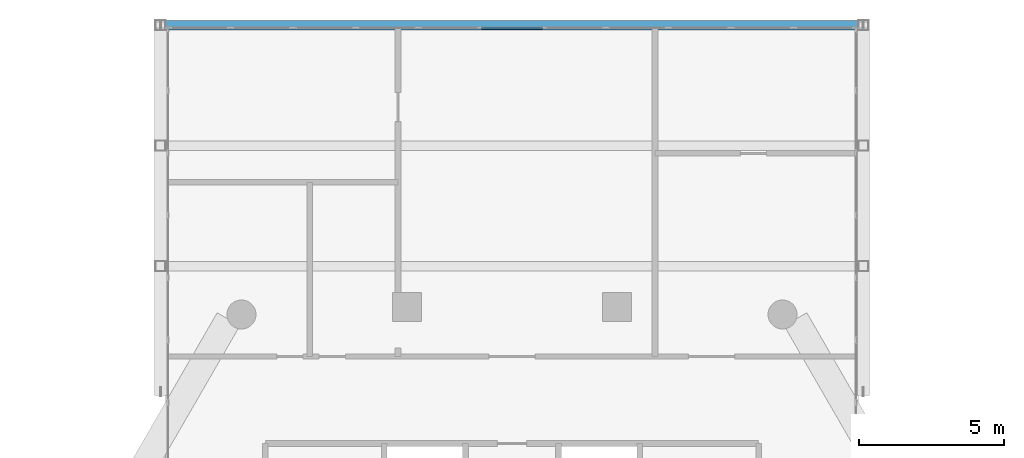
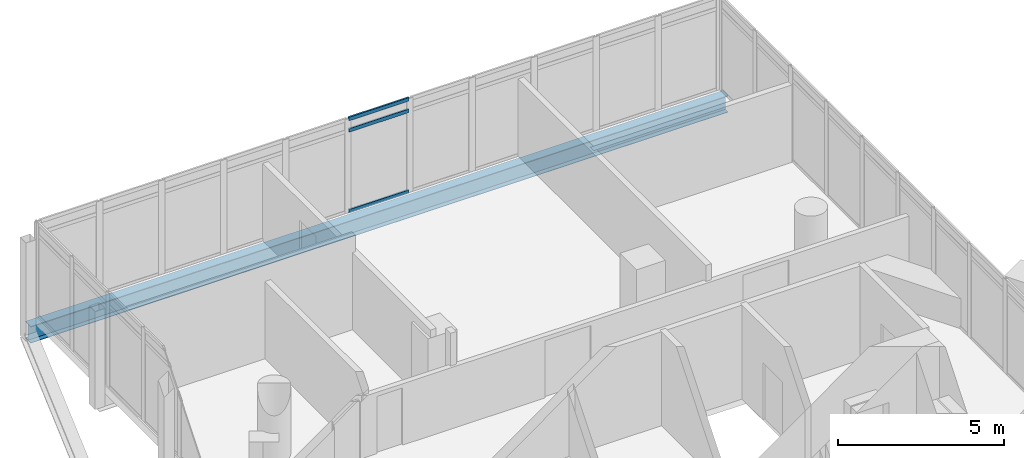
# One storey, part 23 of 38: 3 members, 1 beam, 1 element without a shape of its own.
"""IFC4 building model written with IfcOpenShell, lengths in metres."""

from ifc_helpers import new_model, si_unit, direction, frame, origin, origin_2d, place, context, subcontext, project, spatial, hollow_rectangle, i_section, extrude, material, material_profile, profile_set, type_object, element, aggregate, save


model = new_model("IFC4")

# Units and contexts
model_context = context("Model", 3, precision=1e-05, world=origin(), true_north=direction((0.0, 1.0)))
body_context = subcontext(model_context, "Body", "Model", "MODEL_VIEW")
ifc_project = project(units=[si_unit("LENGTHUNIT", "METRE"), si_unit("AREAUNIT", "SQUARE_METRE"), si_unit("VOLUMEUNIT", "CUBIC_METRE"), si_unit("PLANEANGLEUNIT", "RADIAN"), si_unit("MASSUNIT", "GRAM", prefix="KILO")], contexts=[model_context])

# Site, building, storey
site_placement = place(None, origin())
site = spatial("IfcSite", under=ifc_project, at=site_placement, CompositionType="ELEMENT")
building_placement = place(site_placement, origin())
building = spatial("IfcBuilding", under=site, at=building_placement, Name="Ostrander Bayou Hotel Tower", CompositionType="ELEMENT")
storey_placement = place(building_placement, frame((0.0, 0.0, 194.5)))
storey = spatial("IfcBuildingStorey", under=building, at=storey_placement, Name="L48", CompositionType="ELEMENT", Elevation=194.5)

# Curtain wall, members
ifc_material_1 = material(Name="Aluminium and clear glass", Category="aluminium")
curtain_wall_type = type_object("IfcCurtainWallType", Name="CW-BAR glazed wall", PredefinedType="NOTDEFINED", material=ifc_material_1)
curtain_wall_placement = place(storey_placement, origin())
curtain_wall = element("IfcCurtainWall", 1, at=curtain_wall_placement, inside=storey, type_object=curtain_wall_type, Name="CW-BAR L48:SB4N:T", PredefinedType="NOTDEFINED")
ifc_material_2 = material(Name="Aluminium", Category="aluminium")
ifc_material_profile_1 = material_profile(ifc_material_2, hollow_rectangle(XDim=0.06005859375, YDim=0.1298828125, WallThickness=0.00390625, at=origin_2d()))
ifc_profile_set_1 = profile_set([ifc_material_profile_1], Name="Aluminium")
member_type = type_object("IfcMemberType", Name="CW-BR transom 60 x 130 mm", PredefinedType="USERDEFINED", material=ifc_profile_set_1)
member_1_placement = place(storey_placement, frame((-1.0478515625, 27.916015625, 0.030029296875), z_axis=(1.0, 0.0, 0.0), x_axis=(0.0, 1.0, 0.0)))
member_1 = element("IfcMember", 2, at=member_1_placement, type_object=member_type, Name="CW-BAR transom 6.1", ObjectType="TRANSOM", PredefinedType="USERDEFINED", context=body_context, shape_type="SweptSolid", body=[
    extrude(hollow_rectangle(XDim=0.06005859375, YDim=0.1298828125, WallThickness=0.00390625, at=origin_2d()), origin(), (0.0, 0.0, 1.0), 2.095703125),
])
member_2_placement = place(storey_placement, frame((-1.0478515625, 27.916015625, 3.0), z_axis=(1.0, 0.0, 0.0), x_axis=(0.0, 1.0, 0.0)))
member_2 = element("IfcMember", 3, at=member_2_placement, type_object=member_type, Name="CW-BAR transom 6.2", ObjectType="TRANSOM", PredefinedType="USERDEFINED", context=body_context, shape_type="SweptSolid", body=[
    extrude(hollow_rectangle(XDim=0.06005859375, YDim=0.1298828125, WallThickness=0.00390625, at=origin_2d()), origin(), (0.0, 0.0, 1.0), 2.095703125),
])
member_3_placement = place(storey_placement, frame((-1.0478515625, 27.916015625, 3.419921875), z_axis=(1.0, 0.0, 0.0), x_axis=(0.0, 1.0, 0.0)))
member_3 = element("IfcMember", 4, at=member_3_placement, type_object=member_type, Name="CW-BAR transom 6.3", ObjectType="TRANSOM", PredefinedType="USERDEFINED", context=body_context, shape_type="SweptSolid", body=[
    extrude(hollow_rectangle(XDim=0.06005859375, YDim=0.1298828125, WallThickness=0.00390625, at=origin_2d()), origin(), (0.0, 0.0, 1.0), 2.095703125),
])
aggregate(curtain_wall, [member_1, member_2, member_3])

# Beam
ifc_material_3 = material(Name="Steel ASTM A992", Category="steel")
ifc_material_profile_2 = material_profile(ifc_material_3, i_section(OverallWidth=0.32373046875, OverallDepth=0.611083984375, WebThickness=0.0126953125, FlangeThickness=0.01904296875, at=origin_2d()))
ifc_profile_set_2 = profile_set([ifc_material_profile_2], Name="Steel ASTM A992")
beam_type = type_object("IfcBeamType", Name="TF2 bar floor beam W24x104", PredefinedType="BEAM", material=ifc_profile_set_2)
beam_placement = place(storey_placement, frame((-12.110107421875, 28.01611328125, -0.605712890625), z_axis=(1.0, 0.0, 0.0), x_axis=(0.0, 1.0, 0.0)))
element("IfcBeam", 5, at=beam_placement, inside=storey, type_object=beam_type, Name="TF2 SB4W L1-1", PredefinedType="BEAM", context=body_context, shape_type="SweptSolid", body=[
    extrude(i_section(OverallWidth=0.32373046875, OverallDepth=0.611083984375, WebThickness=0.0126953125, FlangeThickness=0.01904296875, at=origin_2d()), origin(), (0.0, 0.0, 1.0), 24.22021484375),
])

save(model, "model.ifc")
